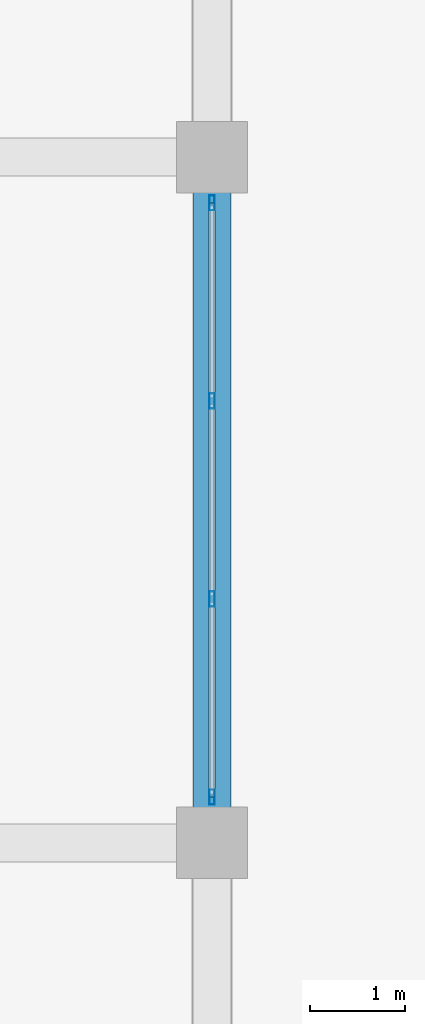
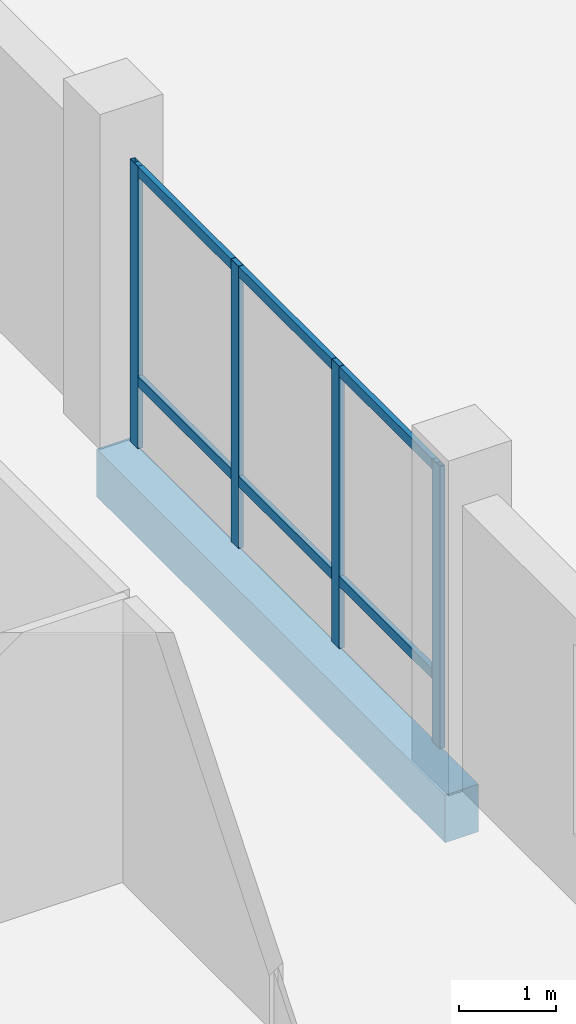
# One storey, part 24 of 98: 6 members, 1 beam, 1 element without a shape of its own.
"""IFC4 building model written with IfcOpenShell, lengths in metres."""

from ifc_helpers import new_model, si_unit, direction, frame, origin, origin_2d, place, context, subcontext, project, spatial, rectangle, hollow_rectangle, extrude, material, material_profile, profile_set, type_object, element, aggregate, save


model = new_model("IFC4")

# Units and contexts
model_context = context("Model", 3, precision=1e-05, world=origin(), true_north=direction((0.0, 1.0)))
body_context = subcontext(model_context, "Body", "Model", "MODEL_VIEW")
ifc_project = project(units=[si_unit("LENGTHUNIT", "METRE"), si_unit("AREAUNIT", "SQUARE_METRE"), si_unit("VOLUMEUNIT", "CUBIC_METRE"), si_unit("PLANEANGLEUNIT", "RADIAN"), si_unit("MASSUNIT", "GRAM", prefix="KILO")], contexts=[model_context])

# Site, building, storey
site_placement = place(None, origin())
site = spatial("IfcSite", under=ifc_project, at=site_placement, CompositionType="ELEMENT")
building_placement = place(site_placement, origin())
building = spatial("IfcBuilding", under=site, at=building_placement, Name="Zornivar Specialist Clinic", CompositionType="ELEMENT")
storey_placement = place(building_placement, origin())
storey = spatial("IfcBuildingStorey", under=building, at=storey_placement, Name="L00", CompositionType="ELEMENT", Elevation=0.0)

# Beam
ifc_material_1 = material(Name="Concrete C30/37", Category="concrete")
ifc_material_profile_1 = material_profile(ifc_material_1, rectangle(XDim=0.39990234375, YDim=0.60009765625, at=origin_2d()), Name="RC 400x600")
ifc_profile_set_1 = profile_set([ifc_material_profile_1], Name="Concrete C30/37")
beam_type = type_object("IfcBeamType", Name="BM-RC-400x600", PredefinedType="BEAM", material=ifc_profile_set_1)
beam_placement = place(storey_placement, frame((14.39990234375, 28.800048828125, -0.580078125), z_axis=(0.0, 1.0, 0.0), x_axis=(-1.0, 0.0, 0.0)))
element("IfcBeam", 1, at=beam_placement, inside=storey, type_object=beam_type, Name="bm:V2:L00:y:144:4", PredefinedType="BEAM", context=body_context, shape_type="SweptSolid", body=[
    extrude(rectangle(XDim=0.39990234375, YDim=0.60009765625, at=origin_2d()), origin(), (0.0, 0.0, 1.0), 7.199951171875),
])

# Curtain wall, members
ifc_material_2 = material(Name="Aluminium and Low-E Glass Curtain Wall", Category="aluminium")
curtain_wall_type = type_object("IfcCurtainWallType", Name="CW-REVAK-COURT", PredefinedType="NOTDEFINED", material=ifc_material_2)
curtain_wall_placement = place(storey_placement, origin())
curtain_wall = element("IfcCurtainWall", 2, at=curtain_wall_placement, inside=storey, type_object=curtain_wall_type, Name="cw:V2:L00:16", PredefinedType="NOTDEFINED")
ifc_material_3 = material(Name="Aluminium AW-6060", Category="aluminium")
ifc_material_profile_2 = material_profile(ifc_material_3, hollow_rectangle(XDim=0.06005859375, YDim=0.159912109375, WallThickness=0.00390625, at=origin_2d()), Name="ALU 60x160x4")
ifc_profile_set_2 = profile_set([ifc_material_profile_2], Name="Aluminium AW-6060")
member_type_1 = type_object("IfcMemberType", Name="CWM-MUL-160", PredefinedType="MULLION", material=ifc_profile_set_2)
member_1_placement = place(storey_placement, frame((14.39990234375, 29.280029296875, 0.0), z_axis=(0.0, 0.0, 1.0), x_axis=(1.0, 0.0, 0.0)))
member_1 = element("IfcMember", 3, at=member_1_placement, type_object=member_type_1, Name="cw:V2:L00:16:mul:0", PredefinedType="MULLION", context=body_context, shape_type="SweptSolid", body=[
    extrude(hollow_rectangle(XDim=0.06005859375, YDim=0.159912109375, WallThickness=0.00390625, at=origin_2d()), origin(), (0.0, 0.0, 1.0), 3.56005859375),
])
member_2_placement = place(storey_placement, frame((14.39990234375, 31.360107421875, 0.0), z_axis=(0.0, 0.0, 1.0), x_axis=(1.0, 0.0, 0.0)))
member_2 = element("IfcMember", 4, at=member_2_placement, type_object=member_type_1, Name="cw:V2:L00:16:mul:1", PredefinedType="MULLION", context=body_context, shape_type="SweptSolid", body=[
    extrude(hollow_rectangle(XDim=0.06005859375, YDim=0.159912109375, WallThickness=0.00390625, at=origin_2d()), origin(), (0.0, 0.0, 1.0), 3.56005859375),
])
member_3_placement = place(storey_placement, frame((14.39990234375, 33.43994140625, 0.0), z_axis=(0.0, 0.0, 1.0), x_axis=(1.0, 0.0, 0.0)))
member_3 = element("IfcMember", 5, at=member_3_placement, type_object=member_type_1, Name="cw:V2:L00:16:mul:2", PredefinedType="MULLION", context=body_context, shape_type="SweptSolid", body=[
    extrude(hollow_rectangle(XDim=0.06005859375, YDim=0.159912109375, WallThickness=0.00390625, at=origin_2d()), origin(), (0.0, 0.0, 1.0), 3.56005859375),
])
member_4_placement = place(storey_placement, frame((14.39990234375, 35.52001953125, 0.0), z_axis=(0.0, 0.0, 1.0), x_axis=(1.0, 0.0, 0.0)))
member_4 = element("IfcMember", 6, at=member_4_placement, type_object=member_type_1, Name="cw:V2:L00:16:mul:3", PredefinedType="MULLION", context=body_context, shape_type="SweptSolid", body=[
    extrude(hollow_rectangle(XDim=0.06005859375, YDim=0.159912109375, WallThickness=0.00390625, at=origin_2d()), origin(), (0.0, 0.0, 1.0), 3.56005859375),
])
ifc_material_4 = material(Name="Aluminium AW-6060", Category="aluminium")
ifc_material_profile_3 = material_profile(ifc_material_4, hollow_rectangle(XDim=0.06005859375, YDim=0.1298828125, WallThickness=0.00390625, at=origin_2d()), Name="ALU 60x130x4")
ifc_profile_set_3 = profile_set([ifc_material_profile_3], Name="Aluminium AW-6060")
member_type_2 = type_object("IfcMemberType", Name="CWM-TRN-130", PredefinedType="USERDEFINED", material=ifc_profile_set_3)
member_5_placement = place(storey_placement, frame((14.39990234375, 29.280029296875, 0.85009765625), z_axis=(0.0, 1.0, 0.0), x_axis=(-1.0, 0.0, 0.0)))
member_5 = element("IfcMember", 7, at=member_5_placement, type_object=member_type_2, Name="cw:V2:L00:16:trn:0", ObjectType="TRANSOM", PredefinedType="USERDEFINED", context=body_context, shape_type="SweptSolid", body=[
    extrude(hollow_rectangle(XDim=0.06005859375, YDim=0.1298828125, WallThickness=0.00390625, at=origin_2d()), origin(), (0.0, 0.0, 1.0), 6.239990234375),
])
member_6_placement = place(storey_placement, frame((14.39990234375, 29.280029296875, 3.4951171875), z_axis=(0.0, 1.0, 0.0), x_axis=(-1.0, 0.0, 0.0)))
member_6 = element("IfcMember", 8, at=member_6_placement, type_object=member_type_2, Name="cw:V2:L00:16:trn:1", ObjectType="TRANSOM", PredefinedType="USERDEFINED", context=body_context, shape_type="SweptSolid", body=[
    extrude(hollow_rectangle(XDim=0.06005859375, YDim=0.1298828125, WallThickness=0.00390625, at=origin_2d()), origin(), (0.0, 0.0, 1.0), 6.239990234375),
])
aggregate(curtain_wall, [member_1, member_2, member_3, member_4, member_5, member_6])

save(model, "model.ifc")
